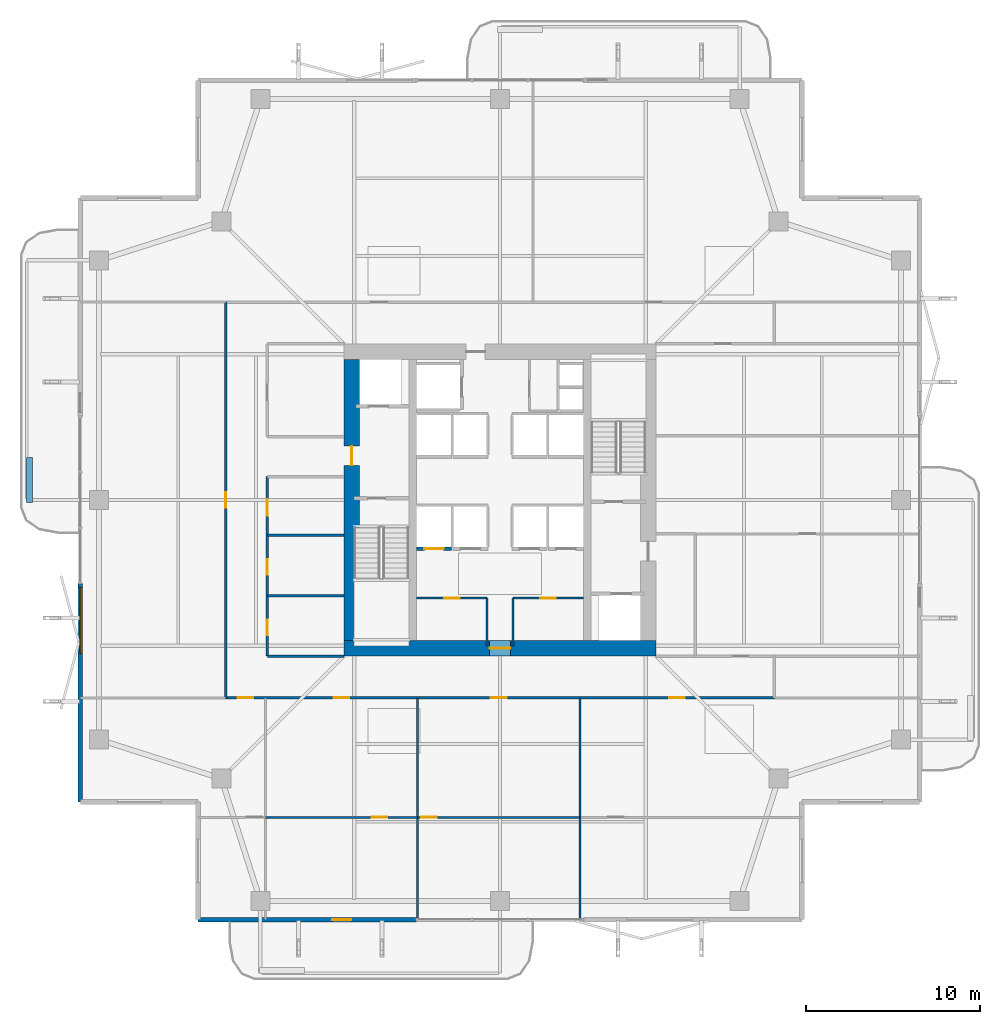
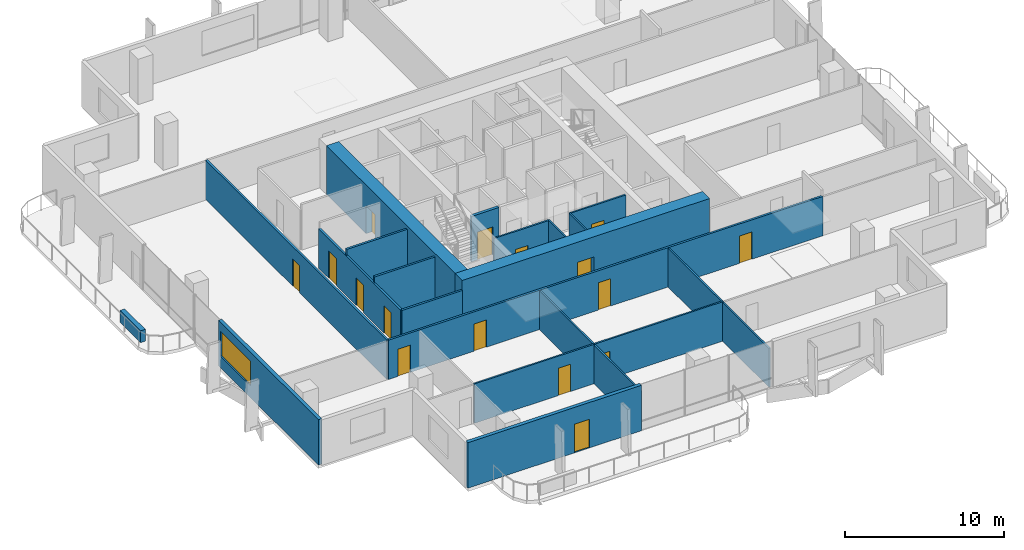
# One storey, part 19 of 25: 20 walls, 16 doors, 1 window, 17 openings.
"""IFC4 building model written with IfcOpenShell, lengths in metres."""

from ifc_helpers import new_model, si_unit, direction, frame, frame_2d, origin, place, context, subcontext, project, spatial, rectangle, extrude, material, layer, layer_set, type_object, element, fill, save


model = new_model("IFC4")

# Units and contexts
model_context = context("Model", 3, precision=1e-05, world=origin(), true_north=direction((0.0, 1.0)))
body_context = subcontext(model_context, "Body", "Model", "MODEL_VIEW")
ifc_project = project(units=[si_unit("LENGTHUNIT", "METRE"), si_unit("AREAUNIT", "SQUARE_METRE"), si_unit("VOLUMEUNIT", "CUBIC_METRE"), si_unit("PLANEANGLEUNIT", "RADIAN"), si_unit("MASSUNIT", "GRAM", prefix="KILO")], contexts=[model_context])

# Site, building, storey
site_placement = place(None, origin())
site = spatial("IfcSite", under=ifc_project, at=site_placement, CompositionType="ELEMENT")
building_placement = place(site_placement, origin())
building = spatial("IfcBuilding", under=site, at=building_placement, Name="Belovzor Exchange Tower", CompositionType="ELEMENT")
storey_placement = place(building_placement, frame((0.0, 0.0, 149.550048828125)))
storey = spatial("IfcBuildingStorey", under=building, at=storey_placement, Name="L36", CompositionType="ELEMENT", Elevation=149.550048828125)

# Wall, opening, door
ifc_material_1 = material(Name="Acoustic Plasterboard on Galvanised Studs", Category="gypsum")
ifc_layer_1 = layer(ifc_material_1, 0.1201171875)
ifc_layer_set_1 = layer_set([ifc_layer_1], Name="Acoustic Plasterboard on Galvanised Studs")
wall_type_1 = type_object("IfcWallType", Name="Acoustic Double-Stud Partition Wall 120", PredefinedType="PARTITIONING", material=ifc_layer_set_1)
wall_1_placement = place(storey_placement, frame((15.300048828125, 10.51708984375, 0.0), z_axis=(0.0, 0.0, 1.0), x_axis=(1.0, 0.0, 0.0)))
wall_1 = element("IfcWall", 1, at=wall_1_placement, inside=storey, type_object=wall_type_1, Name="W-P120 Partition Wall W-L36-SHDIV-1", PredefinedType="PARTITIONING", context=body_context, shape_type="SweptSolid", body=[
    extrude(rectangle(XDim=8.7529296875, YDim=0.1201171875, at=frame_2d((4.37646484375, 0.0))), origin(), (0.0, 0.0, 1.0), 3.030029296875),
])
opening_1_placement = place(wall_1_placement, frame((6.10009765625, 0.0, 0.0)))
opening_1 = element("IfcOpeningElement", 2, at=opening_1_placement, cuts=wall_1, Name="Opening D-INT-090", PredefinedType="OPENING", context=body_context, shape_type="SweptSolid", body=[
    extrude(rectangle(XDim=0.89990234375, YDim=2.10009765625, at=frame_2d((0.449951171875, 1.050048828125))), frame((0.0, 0.070068359375, 0.0), z_axis=(0.0, -1.0, 0.0), x_axis=(1.0, 0.0, 0.0)), (0.0, 0.0, 1.0), 0.14013671875),
])
ifc_material_2 = material(Name="Veneered Hardwood Acoustic Leaf", Category="wood")
door_type_1 = type_object("IfcDoorType", Name="Trading Suite Acoustic Single Door 900x2100", OperationType="NOTDEFINED", PredefinedType="DOOR", material=ifc_material_2)
door_1_placement = place(opening_1_placement, origin())
door_1 = element("IfcDoor", 3, at=door_1_placement, inside=storey, type_object=door_type_1, Name="D-INT-090 Trading Suite Acoustic Single Door 900x2100", OperationType="SINGLE_SWING_LEFT", OverallHeight=2.10009765625, OverallWidth=0.89990234375, PredefinedType="DOOR", context=body_context, shape_type="SweptSolid", body=[
    extrude(rectangle(XDim=0.89990234375, YDim=2.10009765625, at=frame_2d((0.449951171875, 1.050048828125))), frame((0.0, 0.02490234375, 0.0), z_axis=(0.0, -1.0, 0.0), x_axis=(1.0, 0.0, 0.0)), (0.0, 0.0, 1.0), 0.050048828125),
])
fill(opening_1, door_1)

# Wall
wall_2_placement = place(storey_placement, frame((24.052978515625, 4.6298828125, 0.0), z_axis=(0.0, 0.0, 1.0), x_axis=(0.0, 1.0, 0.0)))
element("IfcWall", 4, at=wall_2_placement, inside=storey, type_object=wall_type_1, Name="W-P120 Partition Wall W-L36-SDIV-2", PredefinedType="PARTITIONING", context=body_context, shape_type="SweptSolid", body=[
    extrude(rectangle(XDim=12.77001953125, YDim=0.1201171875, at=frame_2d((6.385009765625, 0.0))), origin(), (0.0, 0.0, 1.0), 2.97998046875),
])

# Wall, opening, door
wall_3_placement = place(storey_placement, frame((24.052978515625, 10.51708984375, 0.0), z_axis=(0.0, 0.0, 1.0), x_axis=(1.0, 0.0, 0.0)))
wall_3 = element("IfcWall", 5, at=wall_3_placement, inside=storey, type_object=wall_type_1, Name="W-P120 Partition Wall W-L36-SHDIV-2", PredefinedType="PARTITIONING", context=body_context, shape_type="SweptSolid", body=[
    extrude(rectangle(XDim=9.35107421875, YDim=0.1201171875, at=frame_2d((4.675537109375, 0.0))), origin(), (0.0, 0.0, 1.0), 3.030029296875),
])
opening_2_placement = place(wall_3_placement, frame((0.199951171875, 0.0, 0.0)))
opening_2 = element("IfcOpeningElement", 6, at=opening_2_placement, cuts=wall_3, Name="Opening D-INT-090", PredefinedType="OPENING", context=body_context, shape_type="SweptSolid", body=[
    extrude(rectangle(XDim=0.89990234375, YDim=2.10009765625, at=frame_2d((0.449951171875, 1.050048828125))), frame((0.0, 0.070068359375, 0.0), z_axis=(0.0, -1.0, 0.0), x_axis=(1.0, 0.0, 0.0)), (0.0, 0.0, 1.0), 0.14013671875),
])
door_2_placement = place(opening_2_placement, origin())
door_2 = element("IfcDoor", 7, at=door_2_placement, inside=storey, type_object=door_type_1, Name="D-INT-090 Trading Suite Acoustic Single Door 900x2100", OperationType="SINGLE_SWING_LEFT", OverallHeight=2.10009765625, OverallWidth=0.89990234375, PredefinedType="DOOR", context=body_context, shape_type="SweptSolid", body=[
    extrude(rectangle(XDim=0.89990234375, YDim=2.10009765625, at=frame_2d((0.449951171875, 1.050048828125))), frame((0.0, 0.02490234375, 0.0), z_axis=(0.0, -1.0, 0.0), x_axis=(1.0, 0.0, 0.0)), (0.0, 0.0, 1.0), 0.050048828125),
])
fill(opening_2, door_2)

# Wall
wall_4_placement = place(storey_placement, frame((33.404052734375, 4.6298828125, 0.0), z_axis=(0.0, 0.0, 1.0), x_axis=(0.0, 1.0, 0.0)))
element("IfcWall", 8, at=wall_4_placement, inside=storey, type_object=wall_type_1, Name="W-P120 Partition Wall W-L36-SDIV-3", PredefinedType="PARTITIONING", context=body_context, shape_type="SweptSolid", body=[
    extrude(rectangle(XDim=12.77001953125, YDim=0.1201171875, at=frame_2d((6.385009765625, 0.0))), origin(), (0.0, 0.0, 1.0), 2.97998046875),
])

# Wall, opening, door
ifc_material_3 = material(Name="Fire-Rated Plasterboard on Galvanised Studs", Category="gypsum")
ifc_layer_2 = layer(ifc_material_3, 0.1201171875)
ifc_layer_set_2 = layer_set([ifc_layer_2], Name="Fire-Rated Plasterboard on Galvanised Studs")
wall_type_2 = type_object("IfcWallType", Name="Fire-Rated Double-Stud Partition Wall 120", PredefinedType="PARTITIONING", material=ifc_layer_set_2)
wall_5_placement = place(storey_placement, frame((24.0, 23.14990234375, 0.0), z_axis=(0.0, 0.0, 1.0), x_axis=(1.0, 0.0, 0.0)))
wall_5 = element("IfcWall", 9, at=wall_5_placement, inside=storey, type_object=wall_type_2, Name="W-P120F Partition Wall W-CRL-L36-WN", PredefinedType="PARTITIONING", context=body_context, shape_type="SweptSolid", body=[
    extrude(rectangle(XDim=4.050048828125, YDim=0.1201171875, at=frame_2d((2.02490234375, 0.0))), origin(), (0.0, 0.0, 1.0), 3.494873046875),
])
opening_3_placement = place(wall_5_placement, frame((1.574951171875, 0.0, 0.0)))
opening_3 = element("IfcOpeningElement", 10, at=opening_3_placement, cuts=wall_5, Name="Opening D-FD60-090", PredefinedType="OPENING", context=body_context, shape_type="SweptSolid", body=[
    extrude(rectangle(XDim=0.89990234375, YDim=2.10009765625, at=frame_2d((0.449951171875, 1.050048828125))), frame((0.0, 0.070068359375, 0.0), z_axis=(0.0, -1.0, 0.0), x_axis=(1.0, 0.0, 0.0)), (0.0, 0.0, 1.0), 0.14013671875),
])
ifc_material_4 = material(Name="Acoustic Timber Fire Leaf", Category="wood")
door_type_2 = type_object("IfcDoorType", Name="Core Service & Restroom Fire Door 900x2100", OperationType="NOTDEFINED", PredefinedType="DOOR", material=ifc_material_4)
door_3_placement = place(opening_3_placement, origin())
door_3 = element("IfcDoor", 11, at=door_3_placement, inside=storey, type_object=door_type_2, Name="D-FD60-090 Core Service & Restroom Fire Door 900x2100", OperationType="SINGLE_SWING_LEFT", OverallHeight=2.10009765625, OverallWidth=0.89990234375, PredefinedType="DOOR", context=body_context, shape_type="SweptSolid", body=[
    extrude(rectangle(XDim=0.89990234375, YDim=2.10009765625, at=frame_2d((0.449951171875, 1.050048828125))), frame((0.0, 0.02490234375, 0.0), z_axis=(0.0, -1.0, 0.0), x_axis=(1.0, 0.0, 0.0)), (0.0, 0.0, 1.0), 0.050048828125),
])
fill(opening_3, door_3)

# Wall
wall_6_placement = place(storey_placement, frame((28.050048828125, 20.39990234375, 0.0), z_axis=(0.0, 0.0, 1.0), x_axis=(0.0, 1.0, 0.0)))
element("IfcWall", 12, at=wall_6_placement, inside=storey, type_object=wall_type_2, Name="W-P120F Partition Wall W-CRL-L36-WE", PredefinedType="PARTITIONING", context=body_context, shape_type="SweptSolid", body=[
    extrude(rectangle(XDim=2.75, YDim=0.1201171875, at=frame_2d((1.375, 0.0))), origin(), (0.0, 0.0, 1.0), 3.494873046875),
])

# Wall, opening, door
wall_7_placement = place(storey_placement, frame((29.550048828125, 23.14990234375, 0.0), z_axis=(0.0, 0.0, 1.0), x_axis=(1.0, 0.0, 0.0)))
wall_7 = element("IfcWall", 13, at=wall_7_placement, inside=storey, type_object=wall_type_2, Name="W-P120F Partition Wall W-CRL-L36-EN", PredefinedType="PARTITIONING", context=body_context, shape_type="SweptSolid", body=[
    extrude(rectangle(XDim=4.050048828125, YDim=0.1201171875, at=frame_2d((2.02490234375, 0.0))), origin(), (0.0, 0.0, 1.0), 3.494873046875),
])
opening_4_placement = place(wall_7_placement, frame((1.574951171875, 0.0, 0.0)))
opening_4 = element("IfcOpeningElement", 14, at=opening_4_placement, cuts=wall_7, Name="Opening D-FD60-090", PredefinedType="OPENING", context=body_context, shape_type="SweptSolid", body=[
    extrude(rectangle(XDim=0.89990234375, YDim=2.10009765625, at=frame_2d((0.449951171875, 1.050048828125))), frame((0.0, 0.070068359375, 0.0), z_axis=(0.0, -1.0, 0.0), x_axis=(1.0, 0.0, 0.0)), (0.0, 0.0, 1.0), 0.14013671875),
])
door_4_placement = place(opening_4_placement, origin())
door_4 = element("IfcDoor", 15, at=door_4_placement, inside=storey, type_object=door_type_2, Name="D-FD60-090 Core Service & Restroom Fire Door 900x2100", OperationType="SINGLE_SWING_RIGHT", OverallHeight=2.10009765625, OverallWidth=0.89990234375, PredefinedType="DOOR", context=body_context, shape_type="SweptSolid", body=[
    extrude(rectangle(XDim=0.89990234375, YDim=2.10009765625, at=frame_2d((0.449951171875, 1.050048828125))), frame((0.0, 0.02490234375, 0.0), z_axis=(0.0, -1.0, 0.0), x_axis=(1.0, 0.0, 0.0)), (0.0, 0.0, 1.0), 0.050048828125),
])
fill(opening_4, door_4)

# Walls
wall_8_placement = place(storey_placement, frame((29.550048828125, 20.39990234375, 0.0), z_axis=(0.0, 0.0, 1.0), x_axis=(0.0, 1.0, 0.0)))
element("IfcWall", 16, at=wall_8_placement, inside=storey, type_object=wall_type_2, Name="W-P120F Partition Wall W-CRL-L36-EW", PredefinedType="PARTITIONING", context=body_context, shape_type="SweptSolid", body=[
    extrude(rectangle(XDim=2.75, YDim=0.1201171875, at=frame_2d((1.375, 0.0))), origin(), (0.0, 0.0, 1.0), 3.494873046875),
])
ifc_material_5 = material(Name="Fire-Rated Gypsum Block and Mineral Wool", Category="gypsum")
ifc_layer_3 = layer(ifc_material_5, 0.14990234375)
ifc_layer_set_3 = layer_set([ifc_layer_3], Name="Fire-Rated Gypsum Block and Mineral Wool")
wall_type_3 = type_object("IfcWallType", Name="Fire-Rated Gypsum Block Corridor Wall 150", PredefinedType="PARTITIONING", material=ifc_layer_set_3)
wall_9_placement = place(storey_placement, frame((15.39990234375, 19.800048828125, 0.0), z_axis=(0.0, 0.0, 1.0), x_axis=(1.0, 0.0, 0.0)))
element("IfcWall", 17, at=wall_9_placement, inside=storey, type_object=wall_type_3, Name="W-P150 Partition Wall W-L36-WIC-S", PredefinedType="PARTITIONING", context=body_context, shape_type="SweptSolid", body=[
    extrude(rectangle(XDim=4.400146484375, YDim=0.14990234375, at=frame_2d((2.2001953125, 0.0))), origin(), (0.0, 0.0, 1.0), 3.030029296875),
])
for number, where, z_axis, x_axis, name in (
    (18, (15.39990234375, 23.27490234375, 0.0), (0.0, 0.0, 1.0), (1.0, 0.0, 0.0), "W-P150 Partition Wall W-L36-WIC-D1"),
    (19, (15.39990234375, 26.77490234375, 0.0), (0.0, 0.0, 1.0), (1.0, 0.0, 0.0), "W-P150 Partition Wall W-L36-WIC-D2"),
):
    element("IfcWall", number, at=place(storey_placement, frame(where, z_axis=z_axis, x_axis=x_axis)), inside=storey, type_object=wall_type_3, Name=name, PredefinedType="PARTITIONING", context=body_context, shape_type="SweptSolid", body=[
        extrude(rectangle(XDim=4.400146484375, YDim=0.14990234375, at=frame_2d((2.2001953125, 0.0))), origin(), (0.0, 0.0, 1.0), 3.494873046875),
    ])

# Wall, openings, doors
wall_10_placement = place(storey_placement, frame((15.39990234375, 19.800048828125, 0.0), z_axis=(0.0, 0.0, 1.0), x_axis=(0.0, 1.0, 0.0)))
wall_10 = element("IfcWall", 20, at=wall_10_placement, inside=storey, type_object=wall_type_3, Name="W-P150 Partition Wall W-L36-WIE-S", PredefinedType="PARTITIONING", context=body_context, shape_type="SweptSolid", body=[
    extrude(rectangle(XDim=10.349853515625, YDim=0.14990234375, at=frame_2d((5.1748046875, 0.0))), origin(), (0.0, 0.0, 1.0), 3.030029296875),
])
opening_5_placement = place(wall_10_placement, frame((1.199951171875, 0.0, 0.0)))
opening_5 = element("IfcOpeningElement", 21, at=opening_5_placement, cuts=wall_10, Name="Opening D-FD60-090", PredefinedType="OPENING", context=body_context, shape_type="SweptSolid", body=[
    extrude(rectangle(XDim=0.89990234375, YDim=2.10009765625, at=frame_2d((0.449951171875, 1.050048828125))), frame((0.0, 0.0849609375, 0.0), z_axis=(0.0, -1.0, 0.0), x_axis=(1.0, 0.0, 0.0)), (0.0, 0.0, 1.0), 0.169921875),
])
opening_6_placement = place(wall_10_placement, frame((4.699951171875, 0.0, 0.0)))
opening_6 = element("IfcOpeningElement", 22, at=opening_6_placement, cuts=wall_10, Name="Opening D-FD60-090", PredefinedType="OPENING", context=body_context, shape_type="SweptSolid", body=[
    extrude(rectangle(XDim=0.89990234375, YDim=2.10009765625, at=frame_2d((0.449951171875, 1.050048828125))), frame((0.0, 0.0849609375, 0.0), z_axis=(0.0, -1.0, 0.0), x_axis=(1.0, 0.0, 0.0)), (0.0, 0.0, 1.0), 0.169921875),
])
opening_7_placement = place(wall_10_placement, frame((8.10009765625, 0.0, 0.0)))
opening_7 = element("IfcOpeningElement", 23, at=opening_7_placement, cuts=wall_10, Name="Opening D-FD60-095", PredefinedType="OPENING", context=body_context, shape_type="SweptSolid", body=[
    extrude(rectangle(XDim=0.949951171875, YDim=2.10009765625, at=frame_2d((0.47509765625, 1.050048828125))), frame((0.0, 0.0849609375, 0.0), z_axis=(0.0, -1.0, 0.0), x_axis=(1.0, 0.0, 0.0)), (0.0, 0.0, 1.0), 0.169921875),
])
ifc_material_6 = material(Name="Moisture-Resistant Timber Fire Leaf", Category="wood")
door_type_3 = type_object("IfcDoorType", Name="Accessible Restroom Wide Fire Door 950x2100", OperationType="NOTDEFINED", PredefinedType="DOOR", material=ifc_material_6)
door_5_placement = place(opening_7_placement, origin())
door_5 = element("IfcDoor", 24, at=door_5_placement, inside=storey, type_object=door_type_3, Name="D-FD60-095 Accessible Restroom Wide Fire Door 950x2100", OperationType="SINGLE_SWING_LEFT", OverallHeight=2.10009765625, OverallWidth=0.949951171875, PredefinedType="DOOR", context=body_context, shape_type="SweptSolid", body=[
    extrude(rectangle(XDim=0.949951171875, YDim=2.10009765625, at=frame_2d((0.47509765625, 1.050048828125))), frame((0.0, 0.02490234375, 0.0), z_axis=(0.0, -1.0, 0.0), x_axis=(1.0, 0.0, 0.0)), (0.0, 0.0, 1.0), 0.050048828125),
])
fill(opening_7, door_5)
door_6_placement = place(opening_5_placement, origin())
door_6 = element("IfcDoor", 25, at=door_6_placement, inside=storey, type_object=door_type_2, Name="D-FD60-090 Core Service & Restroom Fire Door 900x2100", OperationType="SINGLE_SWING_LEFT", OverallHeight=2.10009765625, OverallWidth=0.89990234375, PredefinedType="DOOR", context=body_context, shape_type="SweptSolid", body=[
    extrude(rectangle(XDim=0.89990234375, YDim=2.10009765625, at=frame_2d((0.449951171875, 1.050048828125))), frame((0.0, 0.02490234375, 0.0), z_axis=(0.0, -1.0, 0.0), x_axis=(1.0, 0.0, 0.0)), (0.0, 0.0, 1.0), 0.050048828125),
])
fill(opening_5, door_6)
door_7_placement = place(opening_6_placement, origin())
door_7 = element("IfcDoor", 26, at=door_7_placement, inside=storey, type_object=door_type_2, Name="D-FD60-090 Core Service & Restroom Fire Door 900x2100", OperationType="SINGLE_SWING_RIGHT", OverallHeight=2.10009765625, OverallWidth=0.89990234375, PredefinedType="DOOR", context=body_context, shape_type="SweptSolid", body=[
    extrude(rectangle(XDim=0.89990234375, YDim=2.10009765625, at=frame_2d((0.449951171875, 1.050048828125))), frame((0.0, 0.02490234375, 0.0), z_axis=(0.0, -1.0, 0.0), x_axis=(1.0, 0.0, 0.0)), (0.0, 0.0, 1.0), 0.050048828125),
])
fill(opening_6, door_7)

wall_11_placement = place(storey_placement, frame((13.0, 17.39990234375, 0.0), z_axis=(0.0, 0.0, 1.0), x_axis=(1.0, 0.0, 0.0)))
wall_11 = element("IfcWall", 27, at=wall_11_placement, inside=storey, type_object=wall_type_3, Name="W-P150 Partition Wall W-L36-CS", PredefinedType="PARTITIONING", context=body_context, shape_type="SweptSolid", body=[
    extrude(rectangle(XDim=31.60009765625, YDim=0.14990234375, at=frame_2d((15.800048828125, 0.0))), origin(), (0.0, 0.0, 1.0), 3.030029296875),
])
opening_8_placement = place(wall_11_placement, frame((0.699951171875, 0.0, 0.0)))
opening_8 = element("IfcOpeningElement", 28, at=opening_8_placement, cuts=wall_11, Name="Opening D-INT-090", PredefinedType="OPENING", context=body_context, shape_type="SweptSolid", body=[
    extrude(rectangle(XDim=0.89990234375, YDim=2.10009765625, at=frame_2d((0.449951171875, 1.050048828125))), frame((0.0, 0.0849609375, 0.0), z_axis=(0.0, -1.0, 0.0), x_axis=(1.0, 0.0, 0.0)), (0.0, 0.0, 1.0), 0.169921875),
])
opening_9_placement = place(wall_11_placement, frame((6.22705078125, 0.0, 0.0)))
opening_9 = element("IfcOpeningElement", 29, at=opening_9_placement, cuts=wall_11, Name="Opening D-INT-090", PredefinedType="OPENING", context=body_context, shape_type="SweptSolid", body=[
    extrude(rectangle(XDim=0.89990234375, YDim=2.10009765625, at=frame_2d((0.449951171875, 1.050048828125))), frame((0.0, 0.0849609375, 0.0), z_axis=(0.0, -1.0, 0.0), x_axis=(1.0, 0.0, 0.0)), (0.0, 0.0, 1.0), 0.169921875),
])
opening_10_placement = place(wall_11_placement, frame((15.279052734375, 0.0, 0.0)))
opening_10 = element("IfcOpeningElement", 30, at=opening_10_placement, cuts=wall_11, Name="Opening D-INT-090", PredefinedType="OPENING", context=body_context, shape_type="SweptSolid", body=[
    extrude(rectangle(XDim=0.89990234375, YDim=2.10009765625, at=frame_2d((0.449951171875, 1.050048828125))), frame((0.0, 0.0849609375, 0.0), z_axis=(0.0, -1.0, 0.0), x_axis=(1.0, 0.0, 0.0)), (0.0, 0.0, 1.0), 0.169921875),
])
opening_11_placement = place(wall_11_placement, frame((25.552001953125, 0.0, 0.0)))
opening_11 = element("IfcOpeningElement", 31, at=opening_11_placement, cuts=wall_11, Name="Opening D-INT-090", PredefinedType="OPENING", context=body_context, shape_type="SweptSolid", body=[
    extrude(rectangle(XDim=0.89990234375, YDim=2.10009765625, at=frame_2d((0.449951171875, 1.050048828125))), frame((0.0, 0.0849609375, 0.0), z_axis=(0.0, -1.0, 0.0), x_axis=(1.0, 0.0, 0.0)), (0.0, 0.0, 1.0), 0.169921875),
])
door_8_placement = place(opening_8_placement, origin())
door_8 = element("IfcDoor", 32, at=door_8_placement, inside=storey, type_object=door_type_1, Name="D-INT-090 Trading Suite Acoustic Single Door 900x2100", OperationType="SINGLE_SWING_RIGHT", OverallHeight=2.10009765625, OverallWidth=0.89990234375, PredefinedType="DOOR", context=body_context, shape_type="SweptSolid", body=[
    extrude(rectangle(XDim=0.89990234375, YDim=2.10009765625, at=frame_2d((0.449951171875, 1.050048828125))), frame((0.0, 0.02490234375, 0.0), z_axis=(0.0, -1.0, 0.0), x_axis=(1.0, 0.0, 0.0)), (0.0, 0.0, 1.0), 0.050048828125),
])
fill(opening_8, door_8)
door_9_placement = place(opening_9_placement, origin())
door_9 = element("IfcDoor", 33, at=door_9_placement, inside=storey, type_object=door_type_1, Name="D-INT-090 Trading Suite Acoustic Single Door 900x2100", OperationType="SINGLE_SWING_LEFT", OverallHeight=2.10009765625, OverallWidth=0.89990234375, PredefinedType="DOOR", context=body_context, shape_type="SweptSolid", body=[
    extrude(rectangle(XDim=0.89990234375, YDim=2.10009765625, at=frame_2d((0.449951171875, 1.050048828125))), frame((0.0, 0.02490234375, 0.0), z_axis=(0.0, -1.0, 0.0), x_axis=(1.0, 0.0, 0.0)), (0.0, 0.0, 1.0), 0.050048828125),
])
fill(opening_9, door_9)
door_10_placement = place(opening_10_placement, origin())
door_10 = element("IfcDoor", 34, at=door_10_placement, inside=storey, type_object=door_type_1, Name="D-INT-090 Trading Suite Acoustic Single Door 900x2100", OperationType="SINGLE_SWING_RIGHT", OverallHeight=2.10009765625, OverallWidth=0.89990234375, PredefinedType="DOOR", context=body_context, shape_type="SweptSolid", body=[
    extrude(rectangle(XDim=0.89990234375, YDim=2.10009765625, at=frame_2d((0.449951171875, 1.050048828125))), frame((0.0, 0.02490234375, 0.0), z_axis=(0.0, -1.0, 0.0), x_axis=(1.0, 0.0, 0.0)), (0.0, 0.0, 1.0), 0.050048828125),
])
fill(opening_10, door_10)
door_11_placement = place(opening_11_placement, origin())
door_11 = element("IfcDoor", 35, at=door_11_placement, inside=storey, type_object=door_type_1, Name="D-INT-090 Trading Suite Acoustic Single Door 900x2100", OperationType="SINGLE_SWING_LEFT", OverallHeight=2.10009765625, OverallWidth=0.89990234375, PredefinedType="DOOR", context=body_context, shape_type="SweptSolid", body=[
    extrude(rectangle(XDim=0.89990234375, YDim=2.10009765625, at=frame_2d((0.449951171875, 1.050048828125))), frame((0.0, 0.02490234375, 0.0), z_axis=(0.0, -1.0, 0.0), x_axis=(1.0, 0.0, 0.0)), (0.0, 0.0, 1.0), 0.050048828125),
])
fill(opening_11, door_11)

# Wall, opening, door
wall_12_placement = place(storey_placement, frame((13.0, 17.39990234375, 0.0), z_axis=(0.0, 0.0, 1.0), x_axis=(0.0, 1.0, 0.0)))
wall_12 = element("IfcWall", 36, at=wall_12_placement, inside=storey, type_object=wall_type_3, Name="W-P150 Partition Wall W-L36-CWO", PredefinedType="PARTITIONING", context=body_context, shape_type="SweptSolid", body=[
    extrude(rectangle(XDim=22.800048828125, YDim=0.14990234375, at=frame_2d((11.39990234375, 0.0))), origin(), (0.0, 0.0, 1.0), 3.030029296875),
])
opening_12_placement = place(wall_12_placement, frame((10.949951171875, 0.0, 0.0)))
opening_12 = element("IfcOpeningElement", 37, at=opening_12_placement, cuts=wall_12, Name="Opening D-INT-090", PredefinedType="OPENING", context=body_context, shape_type="SweptSolid", body=[
    extrude(rectangle(XDim=0.89990234375, YDim=2.10009765625, at=frame_2d((0.449951171875, 1.050048828125))), frame((0.0, 0.0849609375, 0.0), z_axis=(0.0, -1.0, 0.0), x_axis=(1.0, 0.0, 0.0)), (0.0, 0.0, 1.0), 0.169921875),
])
door_12_placement = place(opening_12_placement, origin())
door_12 = element("IfcDoor", 38, at=door_12_placement, inside=storey, type_object=door_type_1, Name="D-INT-090 Trading Suite Acoustic Single Door 900x2100", OperationType="SINGLE_SWING_LEFT", OverallHeight=2.10009765625, OverallWidth=0.89990234375, PredefinedType="DOOR", context=body_context, shape_type="SweptSolid", body=[
    extrude(rectangle(XDim=0.89990234375, YDim=2.10009765625, at=frame_2d((0.449951171875, 1.050048828125))), frame((0.0, 0.02490234375, 0.0), z_axis=(0.0, -1.0, 0.0), x_axis=(1.0, 0.0, 0.0)), (0.0, 0.0, 1.0), 0.050048828125),
])
fill(opening_12, door_12)

ifc_material_7 = material(Name="Precast concrete C40/50", Category="concrete")
ifc_layer_4 = layer(ifc_material_7, 0.260009765625)
ifc_layer_set_4 = layer_set([ifc_layer_4], Name="Precast concrete C40/50")
wall_type_4 = type_object("IfcWallType", Name="Precast Concrete Perimeter Loggia Frame Wall 260", PredefinedType="SOLIDWALL", material=ifc_layer_set_4)
wall_13_placement = place(storey_placement, frame((24.0, 4.6298828125, 0.0), z_axis=(0.0, 0.0, 1.0), x_axis=(-1.0, 0.0, 0.0)))
wall_13 = element("IfcWall", 39, at=wall_13_placement, inside=storey, type_object=wall_type_4, Name="W-EXT260 Precast Concrete Perimeter Loggia Frame Wall 260 L36", PredefinedType="SOLIDWALL", context=body_context, shape_type="SweptSolid", body=[
    extrude(rectangle(XDim=12.60009765625, YDim=0.260009765625, at=frame_2d((6.300048828125, 0.0))), origin(), (0.0, 0.0, 1.0), 3.494873046875),
])
opening_13_placement = place(wall_13_placement, frame((3.758056640625, 0.0, 0.0)))
opening_13 = element("IfcOpeningElement", 40, at=opening_13_placement, cuts=wall_13, Name="Opening D-BAL110", PredefinedType="OPENING", context=body_context, shape_type="SweptSolid", body=[
    extrude(rectangle(XDim=1.10009765625, YDim=2.199951171875, at=frame_2d((0.550048828125, 1.10009765625))), frame((0.0, 0.139892578125, 0.0), z_axis=(0.0, -1.0, 0.0), x_axis=(1.0, 0.0, 0.0)), (0.0, 0.0, 1.0), 0.280029296875),
])
ifc_material_8 = material(Name="Thermally Broken Anodised Aluminium and Laminated Glass", Category="aluminium")
door_type_4 = type_object("IfcDoorType", Name="Planted Loggia Terrace Glazed Door 1100x2200", OperationType="SINGLE_SWING_LEFT", PredefinedType="DOOR", material=ifc_material_8)
door_13_placement = place(opening_13_placement, origin())
door_13 = element("IfcDoor", 41, at=door_13_placement, inside=storey, type_object=door_type_4, Name="D-BAL110 Balcony Terrace Door L36 S", OperationType="SINGLE_SWING_LEFT", OverallHeight=2.199951171875, OverallWidth=1.10009765625, PredefinedType="DOOR", context=body_context, shape_type="SweptSolid", body=[
    extrude(rectangle(XDim=1.10009765625, YDim=2.199951171875, at=frame_2d((0.550048828125, 1.10009765625))), frame((0.0, 0.02490234375, 0.0), z_axis=(0.0, -1.0, 0.0), x_axis=(1.0, 0.0, 0.0)), (0.0, 0.0, 1.0), 0.050048828125),
])
fill(opening_13, door_13)

# Wall, opening, window
wall_14_placement = place(storey_placement, frame((4.6298828125, 11.39990234375, 0.0), z_axis=(0.0, 0.0, 1.0), x_axis=(0.0, 1.0, 0.0)))
wall_14 = element("IfcWall", 42, at=wall_14_placement, inside=storey, type_object=wall_type_4, Name="W-EXT260 Precast Concrete Perimeter Loggia Frame Wall 260 L36", PredefinedType="SOLIDWALL", context=body_context, shape_type="SweptSolid", body=[
    extrude(rectangle(XDim=12.60009765625, YDim=0.260009765625, at=frame_2d((6.300048828125, 0.0))), origin(), (0.0, 0.0, 1.0), 3.494873046875),
])
opening_14_placement = place(wall_14_placement, frame((8.550048828125, 0.0, 0.89990234375)))
opening_14 = element("IfcOpeningElement", 43, at=opening_14_placement, cuts=wall_14, Name="Opening WN-RIB380", PredefinedType="OPENING", context=body_context, shape_type="SweptSolid", body=[
    extrude(rectangle(XDim=3.800048828125, YDim=1.89990234375, at=frame_2d((1.89990234375, 0.949951171875))), frame((0.0, 0.139892578125, 0.0), z_axis=(0.0, -1.0, 0.0), x_axis=(1.0, 0.0, 0.0)), (0.0, 0.0, 1.0), 0.280029296875),
])
ifc_material_9 = material(Name="Thermally Broken Aluminium and Triple Glazing", Category="aluminium")
window_type = type_object("IfcWindowType", Name="Streamline Moderne Horizontal Ribbon Window 3800x1900", PartitioningType="SINGLE_PANEL", PredefinedType="WINDOW", material=ifc_material_9)
window_placement = place(opening_14_placement, origin())
window = element("IfcWindow", 44, at=window_placement, inside=storey, type_object=window_type, Name="WN-RIB380 Streamline Moderne Horizontal Ribbon Window 3800x1900", OverallHeight=1.89990234375, OverallWidth=3.800048828125, PartitioningType="SINGLE_PANEL", PredefinedType="WINDOW", context=body_context, shape_type="SweptSolid", body=[
    extrude(rectangle(XDim=3.800048828125, YDim=1.89990234375, at=frame_2d((1.89990234375, 0.949951171875))), frame((0.0, 0.030029296875, 0.0), z_axis=(0.0, -1.0, 0.0), x_axis=(1.0, 0.0, 0.0)), (0.0, 0.0, 1.0), 0.06005859375),
])
fill(opening_14, window)

# Wall
ifc_material_10 = material(Name="Precast concrete C40/50", Category="concrete")
ifc_layer_5 = layer(ifc_material_10, 0.35009765625)
ifc_layer_set_5 = layer_set([ifc_layer_5], Name="Precast concrete C40/50")
wall_type_5 = type_object("IfcWallType", Name="Precast Concrete Structural Tree Planter Trough 350", PredefinedType="PARAPET", material=ifc_layer_set_5)
wall_15_placement = place(storey_placement, frame((1.699951171875, 28.64990234375, 0.0), z_axis=(0.0, 0.0, 1.0), x_axis=(0.0, 1.0, 0.0)))
element("IfcWall", 45, at=wall_15_placement, inside=storey, type_object=wall_type_5, Name="PT-350 Precast Concrete Structural Tree Planter Trough 350 L36", PredefinedType="PARAPET", context=body_context, shape_type="SweptSolid", body=[
    extrude(rectangle(XDim=2.60009765625, YDim=0.35009765625, at=frame_2d((1.300048828125, 0.0))), origin(), (0.0, 0.0, 1.0), 0.89990234375),
])

# Wall, opening, door
ifc_material_11 = material(Name="Concrete C50/60", Category="concrete")
ifc_layer_6 = layer(ifc_material_11, 0.199951171875)
ifc_layer_set_6 = layer_set([ifc_layer_6], Name="Concrete C50/60")
wall_type_6 = type_object("IfcWallType", Name="Reinforced Concrete Core Shaft Shear Wall 200", PredefinedType="SHEAR", material=ifc_layer_set_6)
wall_16_placement = place(storey_placement, frame((24.0, 26.0, 0.0), z_axis=(0.0, 0.0, 1.0), x_axis=(1.0, 0.0, 0.0)))
wall_16 = element("IfcWall", 46, at=wall_16_placement, inside=storey, type_object=wall_type_6, Name="W-C200S Core Shaft Wall W-SH-L36-PL-M1", PredefinedType="SHEAR", context=body_context, shape_type="SweptSolid", body=[
    extrude(rectangle(XDim=2.0, YDim=0.199951171875, at=frame_2d((1.0, 0.0))), origin(), (0.0, 0.0, 1.0), 3.494873046875),
])
opening_15_placement = place(wall_16_placement, frame((0.449951171875, 0.0, 0.0)))
opening_15 = element("IfcOpeningElement", 47, at=opening_15_placement, cuts=wall_16, Name="Opening LD-110", PredefinedType="OPENING", context=body_context, shape_type="SweptSolid", body=[
    extrude(rectangle(XDim=1.10009765625, YDim=2.14990234375, at=frame_2d((0.550048828125, 1.074951171875))), frame((0.0, 0.10986328125, 0.0), z_axis=(0.0, -1.0, 0.0), x_axis=(1.0, 0.0, 0.0)), (0.0, 0.0, 1.0), 0.219970703125),
])
ifc_material_12 = material(Name="Stainless Steel Grade 304", Category="steel")
door_type_5 = type_object("IfcDoorType", Name="Automated Stainless Steel Lift Landing Door 1100x2150", OperationType="SLIDING_TO_RIGHT", PredefinedType="DOOR", material=ifc_material_12)
door_14_placement = place(opening_15_placement, origin())
door_14 = element("IfcDoor", 48, at=door_14_placement, inside=storey, type_object=door_type_5, Name="LD-110 Automated Stainless Steel Lift Landing Door 1100x2150", OperationType="SLIDING_TO_RIGHT", OverallHeight=2.14990234375, OverallWidth=1.10009765625, PredefinedType="DOOR", context=body_context, shape_type="SweptSolid", body=[
    extrude(rectangle(XDim=1.10009765625, YDim=2.14990234375, at=frame_2d((0.550048828125, 1.074951171875))), frame((0.0, 0.02490234375, 0.0), z_axis=(0.0, -1.0, 0.0), x_axis=(1.0, 0.0, 0.0)), (0.0, 0.0, 1.0), 0.050048828125),
])
fill(opening_15, door_14)

ifc_material_13 = material(Name="Concrete C60/75", Category="concrete")
ifc_layer_7 = layer(ifc_material_13, 0.89990234375)
ifc_layer_set_7 = layer_set([ifc_layer_7], Name="Concrete C60/75")
wall_type_7 = type_object("IfcWallType", Name="Reinforced Concrete Core Shear Wall 900", PredefinedType="SHEAR", material=ifc_layer_set_7)
wall_17_placement = place(storey_placement, frame((19.800048828125, 20.25, 0.0), z_axis=(0.0, 0.0, 1.0), x_axis=(1.0, 0.0, 0.0)))
wall_17 = element("IfcWall", 49, at=wall_17_placement, inside=storey, type_object=wall_type_7, Name="CW-S090 Core Shear Wall L36 S", PredefinedType="SHEAR", context=body_context, shape_type="SweptSolid", body=[
    extrude(rectangle(XDim=18.0, YDim=0.89990234375, at=frame_2d((9.0, 0.0))), origin(), (0.0, 0.0, 1.0), 3.75),
])
opening_16_placement = place(wall_17_placement, frame((8.39990234375, 0.0, 0.0)))
opening_16 = element("IfcOpeningElement", 50, at=opening_16_placement, cuts=wall_17, Name="Opening D-FD90-120", PredefinedType="OPENING", context=body_context, shape_type="SweptSolid", body=[
    extrude(rectangle(XDim=1.199951171875, YDim=2.199951171875, at=frame_2d((0.60009765625, 1.10009765625))), frame((0.0, 0.4599609375, 0.0), z_axis=(0.0, -1.0, 0.0), x_axis=(1.0, 0.0, 0.0)), (0.0, 0.0, 1.0), 0.919921875),
])
ifc_material_14 = material(Name="Fire-Rated Galvanised Steel Leaf", Category="steel")
door_type_6 = type_object("IfcDoorType", Name="Heavy Plant & Foyer Fire Door 1200x2200", OperationType="NOTDEFINED", PredefinedType="DOOR", material=ifc_material_14)
door_15_placement = place(opening_16_placement, origin())
door_15 = element("IfcDoor", 51, at=door_15_placement, inside=storey, type_object=door_type_6, Name="D-FD90-120 Heavy Plant & Foyer Fire Door 1200x2200", OperationType="SINGLE_SWING_LEFT", OverallHeight=2.199951171875, OverallWidth=1.199951171875, PredefinedType="DOOR", context=body_context, shape_type="SweptSolid", body=[
    extrude(rectangle(XDim=1.199951171875, YDim=2.199951171875, at=frame_2d((0.60009765625, 1.10009765625))), frame((0.0, 0.02490234375, 0.0), z_axis=(0.0, -1.0, 0.0), x_axis=(1.0, 0.0, 0.0)), (0.0, 0.0, 1.0), 0.050048828125),
])
fill(opening_16, door_15)

wall_18_placement = place(storey_placement, frame((20.25, 20.699951171875, 0.0), z_axis=(0.0, 0.0, 1.0), x_axis=(0.0, 1.0, 0.0)))
wall_18 = element("IfcWall", 52, at=wall_18_placement, inside=storey, type_object=wall_type_7, Name="CW-S090 Core Shear Wall L36 W", PredefinedType="SHEAR", context=body_context, shape_type="SweptSolid", body=[
    extrude(rectangle(XDim=16.199951171875, YDim=0.89990234375, at=frame_2d((8.10009765625, 0.0))), origin(), (0.0, 0.0, 1.0), 3.75),
])
opening_17_placement = place(wall_18_placement, frame((10.10009765625, 0.0, 0.0)))
opening_17 = element("IfcOpeningElement", 53, at=opening_17_placement, cuts=wall_18, Name="Opening D-FD90-110", PredefinedType="OPENING", context=body_context, shape_type="SweptSolid", body=[
    extrude(rectangle(XDim=1.10009765625, YDim=2.14990234375, at=frame_2d((0.550048828125, 1.074951171875))), frame((0.0, 0.4599609375, 0.0), z_axis=(0.0, -1.0, 0.0), x_axis=(1.0, 0.0, 0.0)), (0.0, 0.0, 1.0), 0.919921875),
])
ifc_material_15 = material(Name="Fire-Rated Galvanised Steel Leaf", Category="steel")
door_type_7 = type_object("IfcDoorType", Name="Protected Escape Vestibule Fire Door 1100x2150", OperationType="NOTDEFINED", PredefinedType="DOOR", material=ifc_material_15)
door_16_placement = place(opening_17_placement, origin())
door_16 = element("IfcDoor", 54, at=door_16_placement, inside=storey, type_object=door_type_7, Name="D-FD90-110 Protected Escape Vestibule Fire Door 1100x2150", OperationType="SINGLE_SWING_LEFT", OverallHeight=2.14990234375, OverallWidth=1.10009765625, PredefinedType="DOOR", context=body_context, shape_type="SweptSolid", body=[
    extrude(rectangle(XDim=1.10009765625, YDim=2.14990234375, at=frame_2d((0.550048828125, 1.074951171875))), frame((0.0, 0.02490234375, 0.0), z_axis=(0.0, -1.0, 0.0), x_axis=(1.0, 0.0, 0.0)), (0.0, 0.0, 1.0), 0.050048828125),
])
fill(opening_17, door_16)

save(model, "model.ifc")
